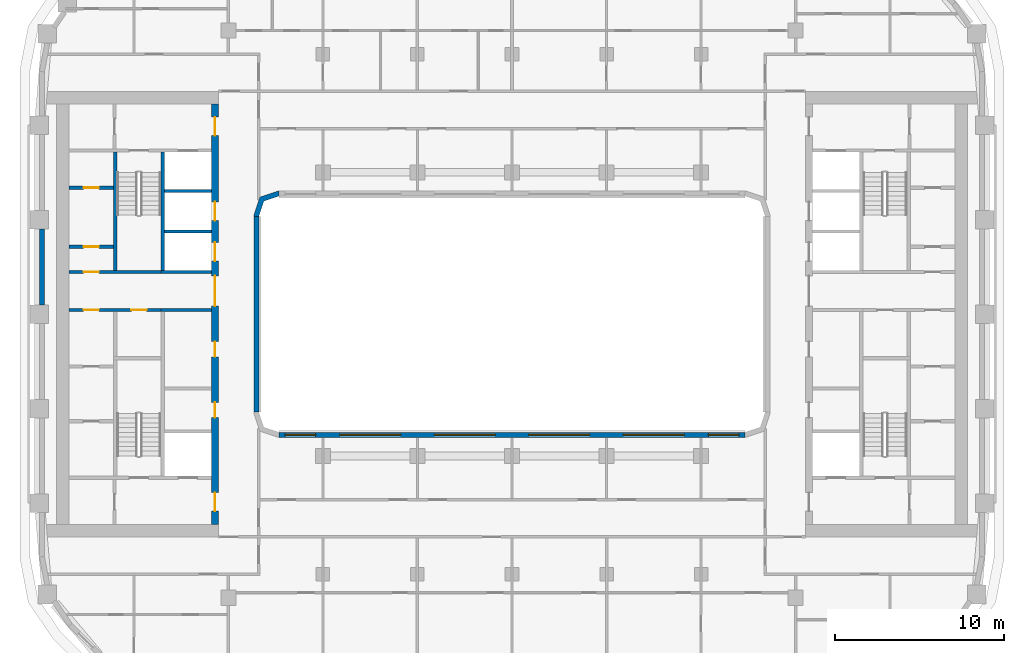
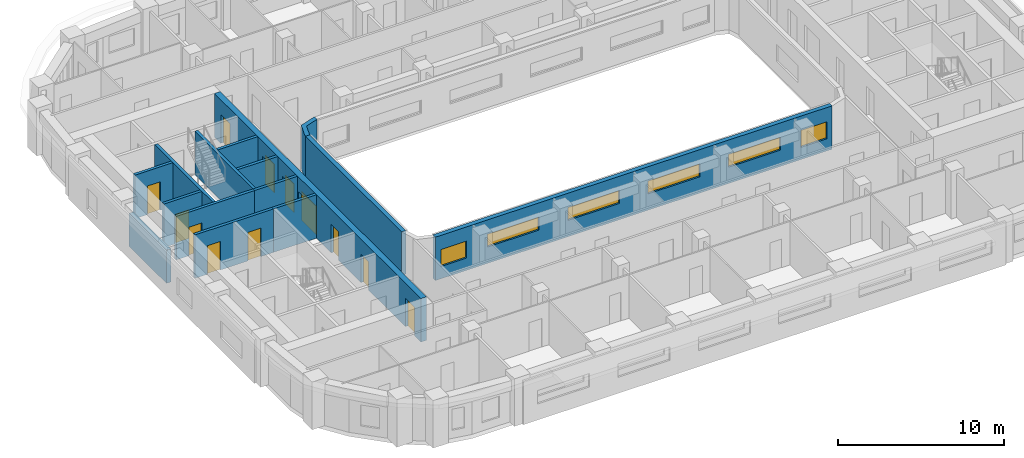
# One storey, part 4 of 22: 15 walls, 12 doors, 6 windows, 18 openings.
"""IFC4 building model written with IfcOpenShell, lengths in metres."""

from ifc_helpers import new_model, si_unit, direction, frame, frame_2d, origin, place, context, subcontext, project, spatial, polyline, rectangle, outline, extrude, material, layer, layer_set, type_object, element, fill, save


model = new_model("IFC4")

# Units and contexts
model_context = context("Model", 3, precision=1e-05, world=origin(), true_north=direction((0.0, 1.0)))
body_context = subcontext(model_context, "Body", "Model", "MODEL_VIEW")
ifc_project = project(units=[si_unit("LENGTHUNIT", "METRE"), si_unit("AREAUNIT", "SQUARE_METRE"), si_unit("VOLUMEUNIT", "CUBIC_METRE"), si_unit("PLANEANGLEUNIT", "RADIAN"), si_unit("MASSUNIT", "GRAM", prefix="KILO")], contexts=[model_context])

# Site, building, storey
site_placement = place(None, origin())
site = spatial("IfcSite", under=ifc_project, at=site_placement, CompositionType="ELEMENT")
building_placement = place(site_placement, origin())
building = spatial("IfcBuilding", under=site, at=building_placement, Name="Kiln Ring Residences", CompositionType="ELEMENT")
storey_placement = place(building_placement, frame((0.0, 0.0, 153.60009765625)))
storey = spatial("IfcBuildingStorey", under=building, at=storey_placement, Name="L39", CompositionType="ELEMENT", Elevation=153.60009765625)

# Wall, openings, doors
ifc_material_1 = material(Name="Gypsum board on steel studs", Category="steel")
ifc_layer_1 = layer(ifc_material_1, 0.199951171875)
ifc_layer_set_1 = layer_set([ifc_layer_1], Name="CORE-PARTITION-200")
wall_type_1 = type_object("IfcWallType", Name="CORE-PARTITION-200", PredefinedType="PARTITIONING", material=ifc_layer_set_1)
wall_1_placement = place(storey_placement, frame((-20.800048828125, 0.25, 0.0), z_axis=(0.0, 0.0, 1.0), x_axis=(-1.0, 0.0, 0.0)))
wall_1 = element("IfcWall", 1, at=wall_1_placement, inside=storey, type_object=wall_type_1, Name="Core partition west L39 2", PredefinedType="PARTITIONING", context=body_context, shape_type="SweptSolid", body=[
    extrude(rectangle(XDim=5.449951171875, YDim=0.199951171875, at=frame_2d((2.72509765625, 0.0))), origin(), (0.0, 0.0, 1.0), 3.199951171875),
])
opening_1_placement = place(wall_1_placement, frame((0.85009765625, 0.0, 0.0)))
opening_1 = element("IfcOpeningElement", 2, at=opening_1_placement, cuts=wall_1, Name="Opening L39-CW14", PredefinedType="OPENING", context=body_context, shape_type="SweptSolid", body=[
    extrude(rectangle(XDim=0.89990234375, YDim=2.10009765625, at=frame_2d((0.449951171875, 1.050048828125))), frame((0.0, 0.10986328125, 0.0), z_axis=(0.0, -1.0, 0.0), x_axis=(1.0, 0.0, 0.0)), (0.0, 0.0, 1.0), 0.219970703125),
])
opening_2_placement = place(wall_1_placement, frame((3.675048828125, 0.0, 0.0)))
opening_2 = element("IfcOpeningElement", 3, at=opening_2_placement, cuts=wall_1, Name="Opening L39-CW17", PredefinedType="OPENING", context=body_context, shape_type="SweptSolid", body=[
    extrude(rectangle(XDim=0.89990234375, YDim=2.10009765625, at=frame_2d((0.449951171875, 1.050048828125))), frame((0.0, 0.10986328125, 0.0), z_axis=(0.0, -1.0, 0.0), x_axis=(1.0, 0.0, 0.0)), (0.0, 0.0, 1.0), 0.219970703125),
])
ifc_material_2 = material(Name="Steel door leaf", Category="steel")
door_type_1 = type_object("IfcDoorType", Name="CORE-DOOR-ROOM", OperationType="SINGLE_SWING_LEFT", PredefinedType="DOOR", material=ifc_material_2)
door_1_placement = place(opening_1_placement, origin())
door_1 = element("IfcDoor", 4, at=door_1_placement, inside=storey, type_object=door_type_1, Name="Electrical riser room L39-CW14", OperationType="SINGLE_SWING_RIGHT", OverallHeight=2.10009765625, OverallWidth=0.89990234375, PredefinedType="DOOR", context=body_context, shape_type="SweptSolid", body=[
    extrude(rectangle(XDim=0.89990234375, YDim=2.10009765625, at=frame_2d((0.449951171875, 1.050048828125))), frame((0.0, 0.02490234375, 0.0), z_axis=(0.0, -1.0, 0.0), x_axis=(1.0, 0.0, 0.0)), (0.0, 0.0, 1.0), 0.050048828125),
])
fill(opening_1, door_1)
door_2_placement = place(opening_2_placement, origin())
door_2 = element("IfcDoor", 5, at=door_2_placement, inside=storey, type_object=door_type_1, Name="Plant room L39-CW17", OperationType="SINGLE_SWING_LEFT", OverallHeight=2.10009765625, OverallWidth=0.89990234375, PredefinedType="DOOR", context=body_context, shape_type="SweptSolid", body=[
    extrude(rectangle(XDim=0.89990234375, YDim=2.10009765625, at=frame_2d((0.449951171875, 1.050048828125))), frame((0.0, 0.02490234375, 0.0), z_axis=(0.0, -1.0, 0.0), x_axis=(1.0, 0.0, 0.0)), (0.0, 0.0, 1.0), 0.050048828125),
])
fill(opening_2, door_2)

# Wall, opening, door
wall_2_placement = place(storey_placement, frame((-23.60009765625, 4.0, 0.0), z_axis=(0.0, 0.0, 1.0), x_axis=(-1.0, 0.0, 0.0)))
wall_2 = element("IfcWall", 6, at=wall_2_placement, inside=storey, type_object=wall_type_1, Name="Core partition west L39 8", PredefinedType="PARTITIONING", context=body_context, shape_type="SweptSolid", body=[
    extrude(rectangle(XDim=2.64990234375, YDim=0.199951171875, at=frame_2d((1.324951171875, 0.0))), origin(), (0.0, 0.0, 1.0), 3.199951171875),
])
opening_3_placement = place(wall_2_placement, frame((0.875, 0.0, 0.0)))
opening_3 = element("IfcOpeningElement", 7, at=opening_3_placement, cuts=wall_2, Name="Opening L39-CW18", PredefinedType="OPENING", context=body_context, shape_type="SweptSolid", body=[
    extrude(rectangle(XDim=0.89990234375, YDim=2.10009765625, at=frame_2d((0.449951171875, 1.050048828125))), frame((0.0, 0.10986328125, 0.0), z_axis=(0.0, -1.0, 0.0), x_axis=(1.0, 0.0, 0.0)), (0.0, 0.0, 1.0), 0.219970703125),
])
door_3_placement = place(opening_3_placement, origin())
door_3 = element("IfcDoor", 8, at=door_3_placement, inside=storey, type_object=door_type_1, Name="Electrical plant room L39-CW18", OperationType="SINGLE_SWING_LEFT", OverallHeight=2.10009765625, OverallWidth=0.89990234375, PredefinedType="DOOR", context=body_context, shape_type="SweptSolid", body=[
    extrude(rectangle(XDim=0.89990234375, YDim=2.10009765625, at=frame_2d((0.449951171875, 1.050048828125))), frame((0.0, 0.02490234375, 0.0), z_axis=(0.0, -1.0, 0.0), x_axis=(1.0, 0.0, 0.0)), (0.0, 0.0, 1.0), 0.050048828125),
])
fill(opening_3, door_3)

wall_3_placement = place(storey_placement, frame((-23.60009765625, 7.5, 0.0), z_axis=(0.0, 0.0, 1.0), x_axis=(-1.0, 0.0, 0.0)))
wall_3 = element("IfcWall", 9, at=wall_3_placement, inside=storey, type_object=wall_type_1, Name="Core partition west L39 9", PredefinedType="PARTITIONING", context=body_context, shape_type="SweptSolid", body=[
    extrude(rectangle(XDim=2.64990234375, YDim=0.199951171875, at=frame_2d((1.324951171875, 0.0))), origin(), (0.0, 0.0, 1.0), 3.199951171875),
])
opening_4_placement = place(wall_3_placement, frame((0.875, 0.0, 0.0)))
opening_4 = element("IfcOpeningElement", 10, at=opening_4_placement, cuts=wall_3, Name="Opening L39-CW19", PredefinedType="OPENING", context=body_context, shape_type="SweptSolid", body=[
    extrude(rectangle(XDim=0.89990234375, YDim=2.10009765625, at=frame_2d((0.449951171875, 1.050048828125))), frame((0.0, 0.10986328125, 0.0), z_axis=(0.0, -1.0, 0.0), x_axis=(1.0, 0.0, 0.0)), (0.0, 0.0, 1.0), 0.219970703125),
])
door_4_placement = place(opening_4_placement, origin())
door_4 = element("IfcDoor", 11, at=door_4_placement, inside=storey, type_object=door_type_1, Name="UPS room L39-CW19", OperationType="SINGLE_SWING_RIGHT", OverallHeight=2.10009765625, OverallWidth=0.89990234375, PredefinedType="DOOR", context=body_context, shape_type="SweptSolid", body=[
    extrude(rectangle(XDim=0.89990234375, YDim=2.10009765625, at=frame_2d((0.449951171875, 1.050048828125))), frame((0.0, 0.02490234375, 0.0), z_axis=(0.0, -1.0, 0.0), x_axis=(1.0, 0.0, 0.0)), (0.0, 0.0, 1.0), 0.050048828125),
])
fill(opening_4, door_4)

# Walls
ifc_material_3 = material(Name="Gypsum shaft wall system")
ifc_layer_2 = layer(ifc_material_3, 0.199951171875)
ifc_layer_set_2 = layer_set([ifc_layer_2], Name="CORE-SHAFT-WALL-200")
wall_type_2 = type_object("IfcWallType", Name="CORE-SHAFT-WALL-200", PredefinedType="PARTITIONING", material=ifc_layer_set_2)
for number, where, z_axis, x_axis, name in (
    (12, (-17.800048828125, 0.25, 0.0), (0.0, 0.0, 1.0), (-1.0, 0.0, 0.0), "Core partition west L39 11"),
    (13, (-17.800048828125, 2.5, 0.0), (0.0, 0.0, 1.0), (-1.0, 0.0, 0.0), "Core partition west L39 12"),
):
    element("IfcWall", number, at=place(storey_placement, frame(where, z_axis=z_axis, x_axis=x_axis)), inside=storey, type_object=wall_type_2, Name=name, PredefinedType="PARTITIONING", context=body_context, shape_type="SweptSolid", body=[
        extrude(rectangle(XDim=3.0, YDim=0.199951171875, at=frame_2d((1.5, 0.0))), origin(), (0.0, 0.0, 1.0), 3.199951171875),
    ])
for number, where, z_axis, x_axis, name in (
    (14, (-17.800048828125, 4.89990234375, 0.0), (0.0, 0.0, 1.0), (-1.0, 0.0, 0.0), "Core partition west L39 13"),
    (15, (-17.800048828125, 7.300048828125, 0.0), (0.0, 0.0, 1.0), (-1.0, 0.0, 0.0), "Core partition west L39 14"),
):
    element("IfcWall", number, at=place(storey_placement, frame(where, z_axis=z_axis, x_axis=x_axis)), inside=storey, type_object=wall_type_2, Name=name, PredefinedType="PARTITIONING", context=body_context, shape_type="SweptSolid", body=[
        extrude(rectangle(XDim=2.800048828125, YDim=0.199951171875, at=frame_2d((1.39990234375, 0.0))), origin(), (0.0, 0.0, 1.0), 3.199951171875),
    ])
ifc_material_4 = material(Name="Concrete C40/50", Category="concrete")
ifc_layer_3 = layer(ifc_material_4, 0.199951171875)
ifc_layer_set_3 = layer_set([ifc_layer_3], Name="CORE-WALL-RC200")
wall_type_3 = type_object("IfcWallType", Name="CORE-WALL-RC200", PredefinedType="SHEAR", material=ifc_layer_set_3)
wall_4_placement = place(storey_placement, frame((-20.699951171875, 2.60009765625, 0.0), z_axis=(0.0, 0.0, 1.0), x_axis=(0.0, 1.0, 0.0)))
element("IfcWall", 16, at=wall_4_placement, inside=storey, type_object=wall_type_3, Name="Core wall west L39 1", PredefinedType="SHEAR", context=body_context, shape_type="SweptSolid", body=[
    extrude(rectangle(XDim=7.0, YDim=0.199951171875, at=frame_2d((3.5, 0.0))), origin(), (0.0, 0.0, 1.0), 3.199951171875),
])

# Wall, opening, door
wall_5_placement = place(storey_placement, frame((-20.800048828125, 2.5, 0.0), z_axis=(0.0, 0.0, 1.0), x_axis=(-1.0, 0.0, 0.0)))
wall_5 = element("IfcWall", 17, at=wall_5_placement, inside=storey, type_object=wall_type_3, Name="Core wall west L39 3", PredefinedType="SHEAR", context=body_context, shape_type="SweptSolid", body=[
    extrude(rectangle(XDim=5.449951171875, YDim=0.199951171875, at=frame_2d((2.72509765625, 0.0))), origin(), (0.0, 0.0, 1.0), 3.199951171875),
])
opening_5_placement = place(wall_5_placement, frame((3.675048828125, 0.0, 0.0)))
opening_5 = element("IfcOpeningElement", 18, at=opening_5_placement, cuts=wall_5, Name="Opening L39-CW20", PredefinedType="OPENING", context=body_context, shape_type="SweptSolid", body=[
    extrude(rectangle(XDim=0.89990234375, YDim=2.10009765625, at=frame_2d((0.449951171875, 1.050048828125))), frame((0.0, 0.10986328125, 0.0), z_axis=(0.0, -1.0, 0.0), x_axis=(1.0, 0.0, 0.0)), (0.0, 0.0, 1.0), 0.219970703125),
])
door_5_placement = place(opening_5_placement, origin())
door_5 = element("IfcDoor", 19, at=door_5_placement, inside=storey, type_object=door_type_1, Name="Comms room L39-CW20", OperationType="SINGLE_SWING_LEFT", OverallHeight=2.10009765625, OverallWidth=0.89990234375, PredefinedType="DOOR", context=body_context, shape_type="SweptSolid", body=[
    extrude(rectangle(XDim=0.89990234375, YDim=2.10009765625, at=frame_2d((0.449951171875, 1.050048828125))), frame((0.0, 0.02490234375, 0.0), z_axis=(0.0, -1.0, 0.0), x_axis=(1.0, 0.0, 0.0)), (0.0, 0.0, 1.0), 0.050048828125),
])
fill(opening_5, door_5)

# Wall
wall_6_placement = place(storey_placement, frame((-23.5, 2.60009765625, 0.0), z_axis=(0.0, 0.0, 1.0), x_axis=(0.0, 1.0, 0.0)))
element("IfcWall", 20, at=wall_6_placement, inside=storey, type_object=wall_type_3, Name="Core wall west L39 10", PredefinedType="SHEAR", context=body_context, shape_type="SweptSolid", body=[
    extrude(rectangle(XDim=7.0, YDim=0.199951171875, at=frame_2d((3.5, 0.0))), origin(), (0.0, 0.0, 1.0), 3.199951171875),
])

# Wall, openings, doors
ifc_material_5 = material(Name="Concrete C60/75", Category="concrete")
ifc_layer_4 = layer(ifc_material_5, 0.39990234375)
ifc_layer_set_4 = layer_set([ifc_layer_4], Name="CORE-WALL-RC400")
wall_type_4 = type_object("IfcWallType", Name="CORE-WALL-RC400", PredefinedType="SHEAR", material=ifc_layer_set_4)
wall_7_placement = place(storey_placement, frame((-17.60009765625, -12.449951171875, 0.0), z_axis=(0.0, 0.0, 1.0), x_axis=(0.0, 1.0, 0.0)))
wall_7 = element("IfcWall", 21, at=wall_7_placement, inside=storey, type_object=wall_type_4, Name="Core wall west L39 6", PredefinedType="SHEAR", context=body_context, shape_type="SweptSolid", body=[
    extrude(rectangle(XDim=24.89990234375, YDim=0.39990234375, at=frame_2d((12.449951171875, 0.0))), origin(), (0.0, 0.0, 1.0), 3.199951171875),
])
opening_6_placement = place(wall_7_placement, frame((6.324951171875, 0.0, 0.0)))
opening_6 = element("IfcOpeningElement", 22, at=opening_6_placement, cuts=wall_7, Name="Opening L39-CW02", PredefinedType="OPENING", context=body_context, shape_type="SweptSolid", body=[
    extrude(rectangle(XDim=0.89990234375, YDim=2.10009765625, at=frame_2d((0.449951171875, 1.050048828125))), frame((0.0, 0.2099609375, 0.0), z_axis=(0.0, -1.0, 0.0), x_axis=(1.0, 0.0, 0.0)), (0.0, 0.0, 1.0), 0.419921875),
])
opening_7_placement = place(wall_7_placement, frame((9.925048828125, 0.0, 0.0)))
opening_7 = element("IfcOpeningElement", 23, at=opening_7_placement, cuts=wall_7, Name="Opening L39-CW03", PredefinedType="OPENING", context=body_context, shape_type="SweptSolid", body=[
    extrude(rectangle(XDim=0.89990234375, YDim=2.10009765625, at=frame_2d((0.449951171875, 1.050048828125))), frame((0.0, 0.2099609375, 0.0), z_axis=(0.0, -1.0, 0.0), x_axis=(1.0, 0.0, 0.0)), (0.0, 0.0, 1.0), 0.419921875),
])
opening_8_placement = place(wall_7_placement, frame((15.60009765625, 0.0, 0.0)))
opening_8 = element("IfcOpeningElement", 24, at=opening_8_placement, cuts=wall_7, Name="Opening L39-CW04", PredefinedType="OPENING", context=body_context, shape_type="SweptSolid", body=[
    extrude(rectangle(XDim=1.10009765625, YDim=2.10009765625, at=frame_2d((0.550048828125, 1.050048828125))), frame((0.0, 0.2099609375, 0.0), z_axis=(0.0, -1.0, 0.0), x_axis=(1.0, 0.0, 0.0)), (0.0, 0.0, 1.0), 0.419921875),
])
opening_9_placement = place(wall_7_placement, frame((18.0, 0.0, 0.0)))
opening_9 = element("IfcOpeningElement", 25, at=opening_9_placement, cuts=wall_7, Name="Opening L39-CW05", PredefinedType="OPENING", context=body_context, shape_type="SweptSolid", body=[
    extrude(rectangle(XDim=1.10009765625, YDim=2.10009765625, at=frame_2d((0.550048828125, 1.050048828125))), frame((0.0, 0.2099609375, 0.0), z_axis=(0.0, -1.0, 0.0), x_axis=(1.0, 0.0, 0.0)), (0.0, 0.0, 1.0), 0.419921875),
])
opening_10_placement = place(wall_7_placement, frame((23.02490234375, 0.0, 0.0)))
opening_10 = element("IfcOpeningElement", 26, at=opening_10_placement, cuts=wall_7, Name="Opening L39-CW07", PredefinedType="OPENING", context=body_context, shape_type="SweptSolid", body=[
    extrude(rectangle(XDim=1.10009765625, YDim=2.10009765625, at=frame_2d((0.550048828125, 1.050048828125))), frame((0.0, 0.2099609375, 0.0), z_axis=(0.0, -1.0, 0.0), x_axis=(1.0, 0.0, 0.0)), (0.0, 0.0, 1.0), 0.419921875),
])
opening_11_placement = place(wall_7_placement, frame((0.77490234375, 0.0, 0.0)))
opening_11 = element("IfcOpeningElement", 27, at=opening_11_placement, cuts=wall_7, Name="Opening L39-CW08", PredefinedType="OPENING", context=body_context, shape_type="SweptSolid", body=[
    extrude(rectangle(XDim=1.10009765625, YDim=2.10009765625, at=frame_2d((0.550048828125, 1.050048828125))), frame((0.0, 0.2099609375, 0.0), z_axis=(0.0, -1.0, 0.0), x_axis=(1.0, 0.0, 0.0)), (0.0, 0.0, 1.0), 0.419921875),
])
opening_12_placement = place(wall_7_placement, frame((12.925048828125, 0.0, 0.0)))
opening_12 = element("IfcOpeningElement", 28, at=opening_12_placement, cuts=wall_7, Name="Opening L39-CW13", PredefinedType="OPENING", context=body_context, shape_type="SweptSolid", body=[
    extrude(rectangle(XDim=1.800048828125, YDim=2.10009765625, at=frame_2d((0.89990234375, 1.050048828125))), frame((0.0, 0.2099609375, 0.0), z_axis=(0.0, -1.0, 0.0), x_axis=(1.0, 0.0, 0.0)), (0.0, 0.0, 1.0), 0.419921875),
])
ifc_material_6 = material(Name="Steel door leaf", Category="steel")
door_type_2 = type_object("IfcDoorType", Name="CORE-DOOR-LD", OperationType="DOUBLE_DOOR_SLIDING", PredefinedType="DOOR", material=ifc_material_6)
door_6_placement = place(opening_8_placement, origin())
door_6 = element("IfcDoor", 29, at=door_6_placement, inside=storey, type_object=door_type_2, Name="LD W-M1 L39-CW04", OperationType="DOUBLE_DOOR_SLIDING", OverallHeight=2.10009765625, OverallWidth=1.10009765625, PredefinedType="DOOR", context=body_context, shape_type="SweptSolid", body=[
    extrude(rectangle(XDim=1.10009765625, YDim=2.10009765625, at=frame_2d((0.550048828125, 1.050048828125))), frame((0.0, 0.02490234375, 0.0), z_axis=(0.0, -1.0, 0.0), x_axis=(1.0, 0.0, 0.0)), (0.0, 0.0, 1.0), 0.050048828125),
])
fill(opening_8, door_6)
door_7_placement = place(opening_9_placement, origin())
door_7 = element("IfcDoor", 30, at=door_7_placement, inside=storey, type_object=door_type_2, Name="LD W-M2 L39-CW05", OperationType="DOUBLE_DOOR_SLIDING", OverallHeight=2.10009765625, OverallWidth=1.10009765625, PredefinedType="DOOR", context=body_context, shape_type="SweptSolid", body=[
    extrude(rectangle(XDim=1.10009765625, YDim=2.10009765625, at=frame_2d((0.550048828125, 1.050048828125))), frame((0.0, 0.02490234375, 0.0), z_axis=(0.0, -1.0, 0.0), x_axis=(1.0, 0.0, 0.0)), (0.0, 0.0, 1.0), 0.050048828125),
])
fill(opening_9, door_7)
ifc_material_7 = material(Name="Steel door leaf", Category="steel")
door_type_3 = type_object("IfcDoorType", Name="CORE-DOOR-LOBBY", OperationType="SINGLE_SWING_LEFT", PredefinedType="DOOR", material=ifc_material_7)
door_8_placement = place(opening_10_placement, origin())
door_8 = element("IfcDoor", 31, at=door_8_placement, inside=storey, type_object=door_type_3, Name="FFL L39-CW07", OperationType="SINGLE_SWING_RIGHT", OverallHeight=2.10009765625, OverallWidth=1.10009765625, PredefinedType="DOOR", context=body_context, shape_type="SweptSolid", body=[
    extrude(rectangle(XDim=1.10009765625, YDim=2.10009765625, at=frame_2d((0.550048828125, 1.050048828125))), frame((0.0, 0.02490234375, 0.0), z_axis=(0.0, -1.0, 0.0), x_axis=(1.0, 0.0, 0.0)), (0.0, 0.0, 1.0), 0.050048828125),
])
fill(opening_10, door_8)
door_9_placement = place(opening_11_placement, origin())
door_9 = element("IfcDoor", 32, at=door_9_placement, inside=storey, type_object=door_type_3, Name="SVL L39-CW08", OperationType="SINGLE_SWING_LEFT", OverallHeight=2.10009765625, OverallWidth=1.10009765625, PredefinedType="DOOR", context=body_context, shape_type="SweptSolid", body=[
    extrude(rectangle(XDim=1.10009765625, YDim=2.10009765625, at=frame_2d((0.550048828125, 1.050048828125))), frame((0.0, 0.02490234375, 0.0), z_axis=(0.0, -1.0, 0.0), x_axis=(1.0, 0.0, 0.0)), (0.0, 0.0, 1.0), 0.050048828125),
])
fill(opening_11, door_9)
ifc_material_8 = material(Name="Steel door leaf", Category="steel")
door_type_4 = type_object("IfcDoorType", Name="CORE-DOOR-PASS", OperationType="DOUBLE_DOOR_SINGLE_SWING", PredefinedType="DOOR", material=ifc_material_8)
door_10_placement = place(opening_12_placement, origin())
door_10 = element("IfcDoor", 33, at=door_10_placement, inside=storey, type_object=door_type_4, Name="Core passage L39-CW13", OperationType="DOUBLE_DOOR_SINGLE_SWING", OverallHeight=2.10009765625, OverallWidth=1.800048828125, PredefinedType="DOOR", context=body_context, shape_type="SweptSolid", body=[
    extrude(rectangle(XDim=1.800048828125, YDim=2.10009765625, at=frame_2d((0.89990234375, 1.050048828125))), frame((0.0, 0.02490234375, 0.0), z_axis=(0.0, -1.0, 0.0), x_axis=(1.0, 0.0, 0.0)), (0.0, 0.0, 1.0), 0.050048828125),
])
fill(opening_12, door_10)
door_11_placement = place(opening_6_placement, origin())
door_11 = element("IfcDoor", 34, at=door_11_placement, inside=storey, type_object=door_type_1, Name="Goods store L39-CW02", OperationType="SINGLE_SWING_RIGHT", OverallHeight=2.10009765625, OverallWidth=0.89990234375, PredefinedType="DOOR", context=body_context, shape_type="SweptSolid", body=[
    extrude(rectangle(XDim=0.89990234375, YDim=2.10009765625, at=frame_2d((0.449951171875, 1.050048828125))), frame((0.0, 0.02490234375, 0.0), z_axis=(0.0, -1.0, 0.0), x_axis=(1.0, 0.0, 0.0)), (0.0, 0.0, 1.0), 0.050048828125),
])
fill(opening_6, door_11)
door_12_placement = place(opening_7_placement, origin())
door_12 = element("IfcDoor", 35, at=door_12_placement, inside=storey, type_object=door_type_1, Name="Storage room L39-CW03", OperationType="SINGLE_SWING_LEFT", OverallHeight=2.10009765625, OverallWidth=0.89990234375, PredefinedType="DOOR", context=body_context, shape_type="SweptSolid", body=[
    extrude(rectangle(XDim=0.89990234375, YDim=2.10009765625, at=frame_2d((0.449951171875, 1.050048828125))), frame((0.0, 0.02490234375, 0.0), z_axis=(0.0, -1.0, 0.0), x_axis=(1.0, 0.0, 0.0)), (0.0, 0.0, 1.0), 0.050048828125),
])
fill(opening_7, door_12)

# Walls
ifc_material_9 = material(Name="Brick masonry, dark clay brick", Category="masonry")
ifc_layer_5 = layer(ifc_material_9, 0.300048828125)
ifc_layer_set_5 = layer_set([ifc_layer_5], Name="EW-300 BRICK WALL")
wall_type_5 = type_object("IfcWallType", Name="EW-300 BRICK WALL", PredefinedType="SOLIDWALL", material=ifc_layer_set_5)
wall_8_placement = place(storey_placement, frame((-27.85009765625, 5.050048828125, 0.0), z_axis=(0.0, 0.0, 1.0), x_axis=(0.0, -1.0, 0.0)))
element("IfcWall", 36, at=wall_8_placement, inside=storey, type_object=wall_type_5, Name="Facade wall L39 43", PredefinedType="SOLIDWALL", context=body_context, shape_type="SweptSolid", body=[
    extrude(rectangle(XDim=4.5, YDim=0.300048828125, at=frame_2d((2.25, 0.0))), origin(), (0.0, 0.0, 1.0), 2.449951171875),
])
wall_9_placement = place(storey_placement, frame((-15.14990234375, -5.800048828125, 0.0), z_axis=(0.0, 0.0, 1.0), x_axis=(0.0, 1.0, 0.0)))
element("IfcWall", 37, at=wall_9_placement, inside=storey, type_object=wall_type_5, Name="Facade wall L39 49", PredefinedType="SOLIDWALL", context=body_context, shape_type="SweptSolid", body=[
    extrude(rectangle(XDim=11.60009765625, YDim=0.300048828125, at=frame_2d((5.800048828125, 0.0))), origin(), (0.0, 0.0, 1.0), 3.199951171875),
])

# Wall, openings, windows
wall_10_placement = place(storey_placement, frame((13.800048828125, -7.14990234375, 0.0), z_axis=(0.0, 0.0, 1.0), x_axis=(-1.0, 0.0, 0.0)))
wall_10 = element("IfcWall", 38, at=wall_10_placement, inside=storey, type_object=wall_type_5, Name="Facade wall L39 52", PredefinedType="SOLIDWALL", context=body_context, shape_type="SweptSolid", body=[
    extrude(rectangle(XDim=27.60009765625, YDim=0.300048828125, at=frame_2d((13.800048828125, 0.0))), origin(), (0.0, 0.0, 1.0), 3.199951171875),
])
opening_13_placement = place(wall_10_placement, frame((0.362548828125, 0.0, 0.89990234375)))
opening_13 = element("IfcOpeningElement", 39, at=opening_13_placement, cuts=wall_10, Name="Opening W2", PredefinedType="OPENING", context=body_context, shape_type="SweptSolid", body=[
    extrude(rectangle(XDim=1.800048828125, YDim=1.25, at=frame_2d((0.89990234375, 0.625))), frame((0.0, 0.159912109375, 0.0), z_axis=(0.0, -1.0, 0.0), x_axis=(1.0, 0.0, 0.0)), (0.0, 0.0, 1.0), 0.320068359375),
])
opening_14_placement = place(wall_10_placement, frame((3.60009765625, 0.0, 1.199951171875)))
opening_14 = element("IfcOpeningElement", 40, at=opening_14_placement, cuts=wall_10, Name="Opening W4", PredefinedType="OPENING", context=body_context, shape_type="SweptSolid", body=[
    extrude(rectangle(XDim=3.60009765625, YDim=0.949951171875, at=frame_2d((1.800048828125, 0.47509765625))), frame((0.0, 0.159912109375, 0.0), z_axis=(0.0, -1.0, 0.0), x_axis=(1.0, 0.0, 0.0)), (0.0, 0.0, 1.0), 0.320068359375),
])
opening_15_placement = place(wall_10_placement, frame((9.199951171875, 0.0, 1.199951171875)))
opening_15 = element("IfcOpeningElement", 41, at=opening_15_placement, cuts=wall_10, Name="Opening W4", PredefinedType="OPENING", context=body_context, shape_type="SweptSolid", body=[
    extrude(rectangle(XDim=3.60009765625, YDim=0.949951171875, at=frame_2d((1.800048828125, 0.47509765625))), frame((0.0, 0.159912109375, 0.0), z_axis=(0.0, -1.0, 0.0), x_axis=(1.0, 0.0, 0.0)), (0.0, 0.0, 1.0), 0.320068359375),
])
opening_16_placement = place(wall_10_placement, frame((14.800048828125, 0.0, 1.199951171875)))
opening_16 = element("IfcOpeningElement", 42, at=opening_16_placement, cuts=wall_10, Name="Opening W4", PredefinedType="OPENING", context=body_context, shape_type="SweptSolid", body=[
    extrude(rectangle(XDim=3.60009765625, YDim=0.949951171875, at=frame_2d((1.800048828125, 0.47509765625))), frame((0.0, 0.159912109375, 0.0), z_axis=(0.0, -1.0, 0.0), x_axis=(1.0, 0.0, 0.0)), (0.0, 0.0, 1.0), 0.320068359375),
])
opening_17_placement = place(wall_10_placement, frame((20.39990234375, 0.0, 1.199951171875)))
opening_17 = element("IfcOpeningElement", 43, at=opening_17_placement, cuts=wall_10, Name="Opening W4", PredefinedType="OPENING", context=body_context, shape_type="SweptSolid", body=[
    extrude(rectangle(XDim=3.60009765625, YDim=0.949951171875, at=frame_2d((1.800048828125, 0.47509765625))), frame((0.0, 0.159912109375, 0.0), z_axis=(0.0, -1.0, 0.0), x_axis=(1.0, 0.0, 0.0)), (0.0, 0.0, 1.0), 0.320068359375),
])
opening_18_placement = place(wall_10_placement, frame((25.4375, 0.0, 0.89990234375)))
opening_18 = element("IfcOpeningElement", 44, at=opening_18_placement, cuts=wall_10, Name="Opening W2", PredefinedType="OPENING", context=body_context, shape_type="SweptSolid", body=[
    extrude(rectangle(XDim=1.800048828125, YDim=1.25, at=frame_2d((0.89990234375, 0.625))), frame((0.0, 0.159912109375, 0.0), z_axis=(0.0, -1.0, 0.0), x_axis=(1.0, 0.0, 0.0)), (0.0, 0.0, 1.0), 0.320068359375),
])
ifc_material_10 = material(Name="Aluminium frame with double glazing", Category="aluminium")
window_type_1 = type_object("IfcWindowType", Name="WINDOW 1800 x 1250", PartitioningType="SINGLE_PANEL", PredefinedType="WINDOW", material=ifc_material_10)
window_1_placement = place(opening_13_placement, origin())
window_1 = element("IfcWindow", 45, at=window_1_placement, inside=storey, type_object=window_type_1, Name="Window L39 34", OverallHeight=1.25, OverallWidth=1.800048828125, PartitioningType="SINGLE_PANEL", PredefinedType="WINDOW", context=body_context, shape_type="SweptSolid", body=[
    extrude(rectangle(XDim=1.800048828125, YDim=1.25, at=frame_2d((0.89990234375, 0.625))), frame((0.0, 0.030029296875, 0.0), z_axis=(0.0, -1.0, 0.0), x_axis=(1.0, 0.0, 0.0)), (0.0, 0.0, 1.0), 0.06005859375),
])
fill(opening_13, window_1)
window_2_placement = place(opening_18_placement, origin())
window_2 = element("IfcWindow", 46, at=window_2_placement, inside=storey, type_object=window_type_1, Name="Window L39 39", OverallHeight=1.25, OverallWidth=1.800048828125, PartitioningType="SINGLE_PANEL", PredefinedType="WINDOW", context=body_context, shape_type="SweptSolid", body=[
    extrude(rectangle(XDim=1.800048828125, YDim=1.25, at=frame_2d((0.89990234375, 0.625))), frame((0.0, 0.030029296875, 0.0), z_axis=(0.0, -1.0, 0.0), x_axis=(1.0, 0.0, 0.0)), (0.0, 0.0, 1.0), 0.06005859375),
])
fill(opening_18, window_2)
ifc_material_11 = material(Name="Aluminium frame with double glazing", Category="aluminium")
window_type_2 = type_object("IfcWindowType", Name="WINDOW 3600 x 950", PartitioningType="SINGLE_PANEL", PredefinedType="WINDOW", material=ifc_material_11)
window_3_placement = place(opening_14_placement, origin())
window_3 = element("IfcWindow", 47, at=window_3_placement, inside=storey, type_object=window_type_2, Name="Window L39 35", OverallHeight=0.949951171875, OverallWidth=3.60009765625, PartitioningType="SINGLE_PANEL", PredefinedType="WINDOW", context=body_context, shape_type="SweptSolid", body=[
    extrude(rectangle(XDim=3.60009765625, YDim=0.949951171875, at=frame_2d((1.800048828125, 0.47509765625))), frame((0.0, 0.030029296875, 0.0), z_axis=(0.0, -1.0, 0.0), x_axis=(1.0, 0.0, 0.0)), (0.0, 0.0, 1.0), 0.06005859375),
])
fill(opening_14, window_3)
window_4_placement = place(opening_15_placement, origin())
window_4 = element("IfcWindow", 48, at=window_4_placement, inside=storey, type_object=window_type_2, Name="Window L39 36", OverallHeight=0.949951171875, OverallWidth=3.60009765625, PartitioningType="SINGLE_PANEL", PredefinedType="WINDOW", context=body_context, shape_type="SweptSolid", body=[
    extrude(rectangle(XDim=3.60009765625, YDim=0.949951171875, at=frame_2d((1.800048828125, 0.47509765625))), frame((0.0, 0.030029296875, 0.0), z_axis=(0.0, -1.0, 0.0), x_axis=(1.0, 0.0, 0.0)), (0.0, 0.0, 1.0), 0.06005859375),
])
fill(opening_15, window_4)
window_5_placement = place(opening_16_placement, origin())
window_5 = element("IfcWindow", 49, at=window_5_placement, inside=storey, type_object=window_type_2, Name="Window L39 37", OverallHeight=0.949951171875, OverallWidth=3.60009765625, PartitioningType="SINGLE_PANEL", PredefinedType="WINDOW", context=body_context, shape_type="SweptSolid", body=[
    extrude(rectangle(XDim=3.60009765625, YDim=0.949951171875, at=frame_2d((1.800048828125, 0.47509765625))), frame((0.0, 0.030029296875, 0.0), z_axis=(0.0, -1.0, 0.0), x_axis=(1.0, 0.0, 0.0)), (0.0, 0.0, 1.0), 0.06005859375),
])
fill(opening_16, window_5)
window_6_placement = place(opening_17_placement, origin())
window_6 = element("IfcWindow", 50, at=window_6_placement, inside=storey, type_object=window_type_2, Name="Window L39 38", OverallHeight=0.949951171875, OverallWidth=3.60009765625, PartitioningType="SINGLE_PANEL", PredefinedType="WINDOW", context=body_context, shape_type="SweptSolid", body=[
    extrude(rectangle(XDim=3.60009765625, YDim=0.949951171875, at=frame_2d((1.800048828125, 0.47509765625))), frame((0.0, 0.030029296875, 0.0), z_axis=(0.0, -1.0, 0.0), x_axis=(1.0, 0.0, 0.0)), (0.0, 0.0, 1.0), 0.06005859375),
])
fill(opening_17, window_6)

# Wall
wall_11_placement = place(storey_placement, origin())
element("IfcWall", 51, at=wall_11_placement, inside=storey, type_object=wall_type_5, Name="Corner wall L39 1", PredefinedType="SOLIDWALL", context=body_context, shape_type="SweptSolid", body=[
    extrude(outline(polyline([(-13.8486328125, 7.300048828125), (-14.937255859375, 6.937255859375), (-15.300048828125, 5.8486328125), (-15.300048828125, 5.800048828125), (-15.0, 5.800048828125), (-14.699951171875, 6.699951171875), (-13.800048828125, 7.0), (-13.800048828125, 7.300048828125), (-13.8486328125, 7.300048828125)])), origin(), (0.0, 0.0, 1.0), 3.199951171875),
])

save(model, "model.ifc")
